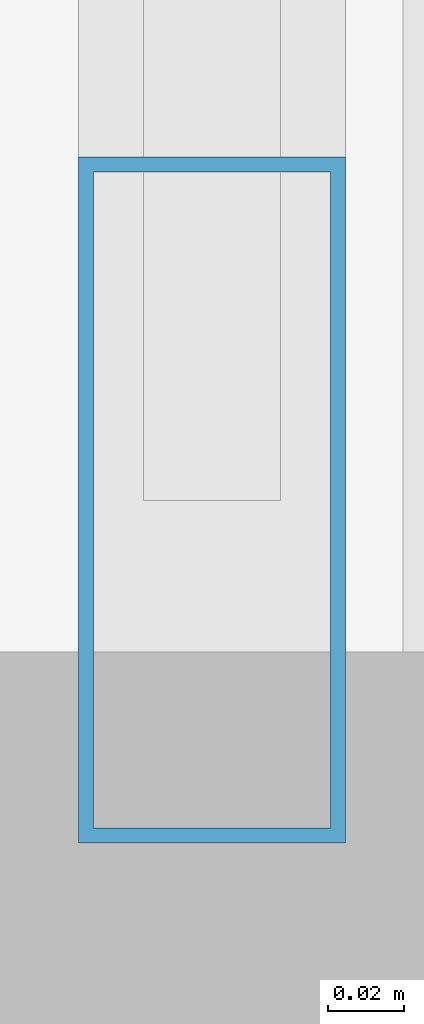
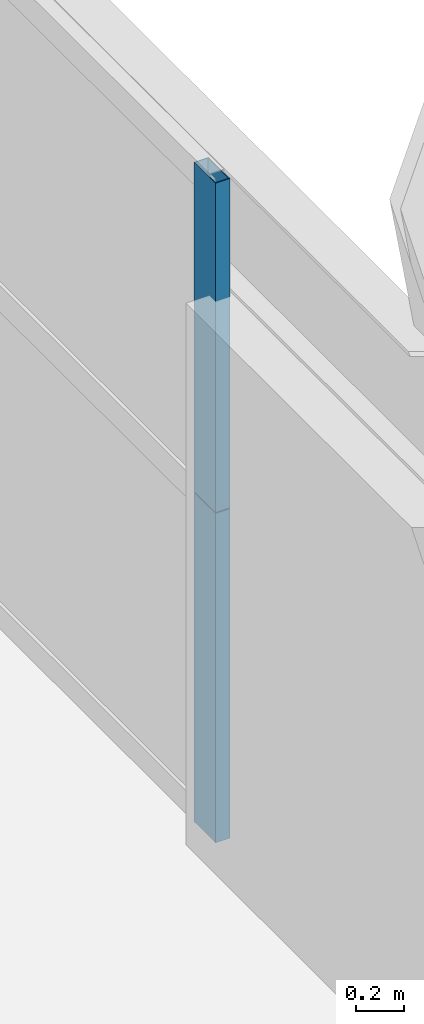
# One storey, part 18 of 43: 2 members, 1 element without a shape of its own.
"""IFC4 building model written with IfcOpenShell, lengths in metres."""

from ifc_helpers import new_model, si_unit, direction, frame, origin, origin_2d, place, context, subcontext, project, spatial, hollow_rectangle, extrude, source, transform, mapped, material, layer, layer_set, material_profile, profile_set, type_object, element, aggregate, save


model = new_model("IFC4")

# Units and contexts
model_context = context("Model", 3, precision=1e-05, world=origin(), true_north=direction((0.0, 1.0)))
body_context = subcontext(model_context, "Body", "Model", "MODEL_VIEW")
ifc_project = project(units=[si_unit("LENGTHUNIT", "METRE"), si_unit("AREAUNIT", "SQUARE_METRE"), si_unit("VOLUMEUNIT", "CUBIC_METRE"), si_unit("PLANEANGLEUNIT", "RADIAN"), si_unit("MASSUNIT", "GRAM", prefix="KILO"), si_unit("THERMODYNAMICTEMPERATUREUNIT", "KELVIN"), si_unit("POWERUNIT", "WATT")], contexts=[model_context])

# Site, building, storey
site_placement = place(None, origin())
site = spatial("IfcSite", under=ifc_project, at=site_placement, CompositionType="ELEMENT")
building_placement = place(site_placement, origin())
building = spatial("IfcBuilding", under=site, at=building_placement, Name="Yuzanri Waterfront Tower", CompositionType="ELEMENT")
storey_placement = place(building_placement, frame((0.0, 0.0, 108.199951171875)))
storey = spatial("IfcBuildingStorey", under=building, at=storey_placement, Name="L28", CompositionType="ELEMENT", Elevation=108.199951171875)

# Curtain wall, members
ifc_material_1 = material(Name="Anodized Architectural Bronze", Category="metal")
ifc_layer = layer(ifc_material_1, 0.159912109375)
ifc_layer_set = layer_set([ifc_layer], Name="Anodized Architectural Bronze")
curtain_wall_type = type_object("IfcCurtainWallType", Name="Anodized Bronze Hotel Upper-Tier Solar-Control Unitized Curtain Wall 7800", PredefinedType="NOTDEFINED", material=ifc_layer_set)
curtain_wall_placement = place(storey_placement, origin())
curtain_wall = element("IfcCurtainWall", 1, at=curtain_wall_placement, inside=storey, type_object=curtain_wall_type, Name="L28 Curtain Wall CW-L28-EL", PredefinedType="NOTDEFINED")
ifc_material_2 = material(Name="Anodized Architectural Bronze", Category="metal")
ifc_material_profile = material_profile(ifc_material_2, hollow_rectangle(XDim=0.070068359375, YDim=0.179931640625, WallThickness=0.00390625, at=origin_2d()), Name="CWM 70x180")
ifc_profile_set = profile_set([ifc_material_profile], Name="Anodized Architectural Bronze")
member_type = type_object("IfcMemberType", Name="Anodized Bronze Standard Curtain-Wall Mullion 70x180", PredefinedType="MULLION", material=ifc_profile_set)
shared_shape = source(origin(), body_context, "Body", "SweptSolid", [
    extrude(hollow_rectangle(XDim=0.070068359375, YDim=0.179931640625, WallThickness=0.00390625, at=origin_2d()), origin(), (0.0, 0.0, 1.0), 1.68798828125),
])
member_1_placement = place(storey_placement, frame((60.449951171875, 9.590087890625, 0.0), z_axis=(0.0, 0.0, 1.0), x_axis=(1.0, 0.0, 0.0)))
member_1 = element("IfcMember", 2, at=member_1_placement, type_object=member_type, Name="CW-L28-EL Lower Mullion 00", PredefinedType="MULLION", context=body_context, shape_type="MappedRepresentation", body=[
    mapped(shared_shape, transform((0.0, 0.0, 0.0), scale=1.0)),
])
member_2_placement = place(storey_placement, frame((60.449951171875, 9.590087890625, 1.692138671875), z_axis=(0.0, 0.0, 1.0), x_axis=(1.0, 0.0, 0.0)))
member_2 = element("IfcMember", 3, at=member_2_placement, type_object=member_type, Name="CW-L28-EL Upper Mullion 00", PredefinedType="MULLION", context=body_context, shape_type="MappedRepresentation", body=[
    mapped(shared_shape, transform((0.0, 0.0, 0.0), scale=1.0)),
])
aggregate(curtain_wall, [member_1, member_2])

save(model, "model.ifc")
